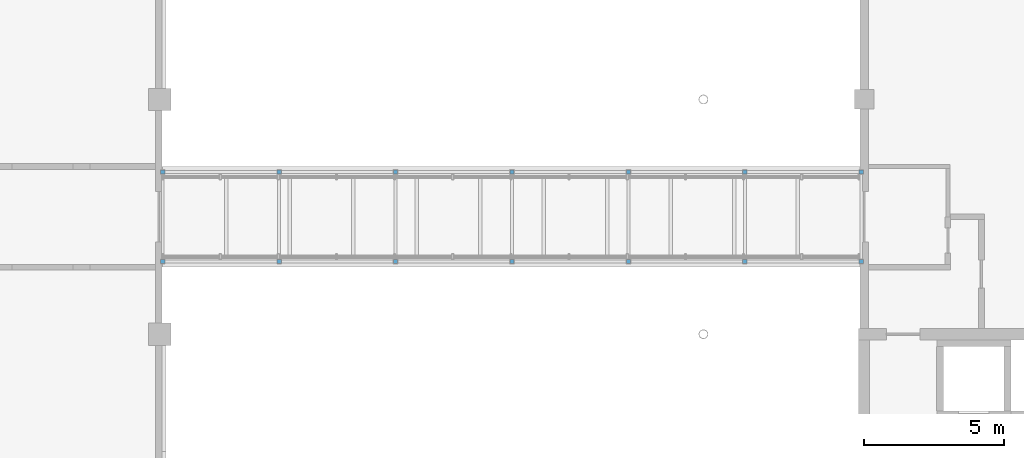
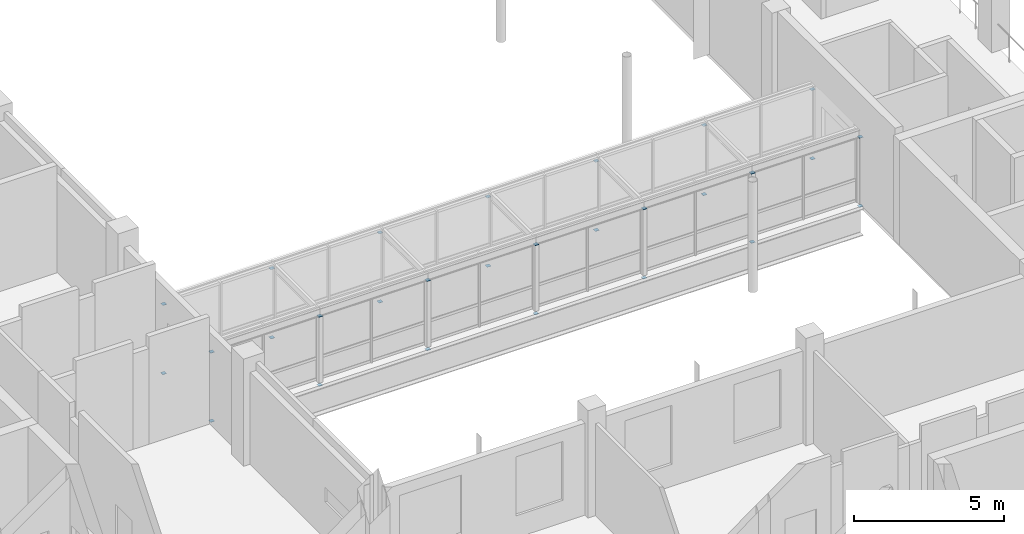
# One storey, part 51 of 70: 28 discrete accessories.
"""IFC4 building model written with IfcOpenShell, lengths in metres."""

from ifc_helpers import new_model, si_unit, direction, frame, origin, origin_2d, place, context, subcontext, project, spatial, rectangle, extrude, material, element, save


model = new_model("IFC4")

# Units and contexts
model_context = context("Model", 3, precision=1e-05, world=origin(), true_north=direction((0.0, 1.0)))
body_context = subcontext(model_context, "Body", "Model", "MODEL_VIEW")
ifc_project = project(units=[si_unit("LENGTHUNIT", "METRE"), si_unit("AREAUNIT", "SQUARE_METRE"), si_unit("VOLUMEUNIT", "CUBIC_METRE"), si_unit("PLANEANGLEUNIT", "RADIAN"), si_unit("MASSUNIT", "GRAM", prefix="KILO")], contexts=[model_context])

# Site, building, storey
site_placement = place(None, origin())
site = spatial("IfcSite", under=ifc_project, at=site_placement, CompositionType="ELEMENT")
building_placement = place(site_placement, origin())
building = spatial("IfcBuilding", under=site, at=building_placement, Name="Hlaing Beacon Police Headquarters", CompositionType="ELEMENT")
storey_placement = place(building_placement, frame((0.0, 0.0, 5.39990234375)))
storey = spatial("IfcBuildingStorey", under=building, at=storey_placement, Name="L01", CompositionType="ELEMENT", Elevation=5.39990234375)

# Discrete accessories
ifc_material = material(Name="Steel ASTM A572 Grade 50", Category="steel")
for number, where, z_axis, x_axis, name in (
    (1, (33.699951171875, 44.60009765625, -0.123779296875), (0.0, 0.0, -1.0), (1.0, 0.0, 0.0), "Gusset plate GP-707"),
    (2, (33.699951171875, 44.60009765625, 2.68408203125), (0.0, 0.0, 1.0), (1.0, 0.0, 0.0), "Gusset plate GP-708"),
    (3, (37.86669921875, 44.60009765625, -0.123779296875), (0.0, 0.0, -1.0), (1.0, 0.0, 0.0), "Gusset plate GP-709"),
    (4, (37.86669921875, 44.60009765625, 2.68408203125), (0.0, 0.0, 1.0), (1.0, 0.0, 0.0), "Gusset plate GP-710"),
    (5, (42.033203125, 44.60009765625, -0.123779296875), (0.0, 0.0, -1.0), (1.0, 0.0, 0.0), "Gusset plate GP-711"),
    (6, (42.033203125, 44.60009765625, 2.68408203125), (0.0, 0.0, 1.0), (1.0, 0.0, 0.0), "Gusset plate GP-712"),
    (7, (46.199951171875, 44.60009765625, -0.123779296875), (0.0, 0.0, -1.0), (1.0, 0.0, 0.0), "Gusset plate GP-713"),
    (8, (46.199951171875, 44.60009765625, 2.68408203125), (0.0, 0.0, 1.0), (1.0, 0.0, 0.0), "Gusset plate GP-714"),
    (9, (50.36669921875, 44.60009765625, -0.123779296875), (0.0, 0.0, -1.0), (1.0, 0.0, 0.0), "Gusset plate GP-715"),
    (10, (50.36669921875, 44.60009765625, 2.68408203125), (0.0, 0.0, 1.0), (1.0, 0.0, 0.0), "Gusset plate GP-716"),
    (11, (54.533203125, 44.60009765625, -0.123779296875), (0.0, 0.0, -1.0), (1.0, 0.0, 0.0), "Gusset plate GP-717"),
    (12, (54.533203125, 44.60009765625, 2.68408203125), (0.0, 0.0, 1.0), (1.0, 0.0, 0.0), "Gusset plate GP-718"),
    (13, (58.699951171875, 44.60009765625, -0.123779296875), (0.0, 0.0, -1.0), (1.0, 0.0, 0.0), "Gusset plate GP-719"),
    (14, (58.699951171875, 44.60009765625, 2.68408203125), (0.0, 0.0, 1.0), (1.0, 0.0, 0.0), "Gusset plate GP-720"),
    (15, (33.699951171875, 47.800048828125, -0.123779296875), (0.0, 0.0, -1.0), (1.0, 0.0, 0.0), "Gusset plate GP-721"),
    (16, (33.699951171875, 47.800048828125, 2.68408203125), (0.0, 0.0, 1.0), (1.0, 0.0, 0.0), "Gusset plate GP-722"),
    (17, (37.86669921875, 47.800048828125, -0.123779296875), (0.0, 0.0, -1.0), (1.0, 0.0, 0.0), "Gusset plate GP-723"),
    (18, (37.86669921875, 47.800048828125, 2.68408203125), (0.0, 0.0, 1.0), (1.0, 0.0, 0.0), "Gusset plate GP-724"),
    (19, (42.033203125, 47.800048828125, -0.123779296875), (0.0, 0.0, -1.0), (1.0, 0.0, 0.0), "Gusset plate GP-725"),
    (20, (42.033203125, 47.800048828125, 2.68408203125), (0.0, 0.0, 1.0), (1.0, 0.0, 0.0), "Gusset plate GP-726"),
    (21, (46.199951171875, 47.800048828125, -0.123779296875), (0.0, 0.0, -1.0), (1.0, 0.0, 0.0), "Gusset plate GP-727"),
    (22, (46.199951171875, 47.800048828125, 2.68408203125), (0.0, 0.0, 1.0), (1.0, 0.0, 0.0), "Gusset plate GP-728"),
    (23, (50.36669921875, 47.800048828125, -0.123779296875), (0.0, 0.0, -1.0), (1.0, 0.0, 0.0), "Gusset plate GP-729"),
    (24, (50.36669921875, 47.800048828125, 2.68408203125), (0.0, 0.0, 1.0), (1.0, 0.0, 0.0), "Gusset plate GP-730"),
    (25, (54.533203125, 47.800048828125, -0.123779296875), (0.0, 0.0, -1.0), (1.0, 0.0, 0.0), "Gusset plate GP-731"),
    (26, (54.533203125, 47.800048828125, 2.68408203125), (0.0, 0.0, 1.0), (1.0, 0.0, 0.0), "Gusset plate GP-732"),
    (27, (58.699951171875, 47.800048828125, -0.123779296875), (0.0, 0.0, -1.0), (1.0, 0.0, 0.0), "Gusset plate GP-733"),
    (28, (58.699951171875, 47.800048828125, 2.68408203125), (0.0, 0.0, 1.0), (1.0, 0.0, 0.0), "Gusset plate GP-734"),
):
    element("IfcDiscreteAccessory", number, at=place(storey_placement, frame(where, z_axis=z_axis, x_axis=x_axis)), inside=storey, material=ifc_material, Name=name, PredefinedType="BRACKET", context=body_context, shape_type="SweptSolid", body=[
        extrude(rectangle(XDim=0.15234375, YDim=0.15234375, at=origin_2d()), origin(), (0.0, 0.0, 1.0), 0.011962890625),
    ])

save(model, "model.ifc")
